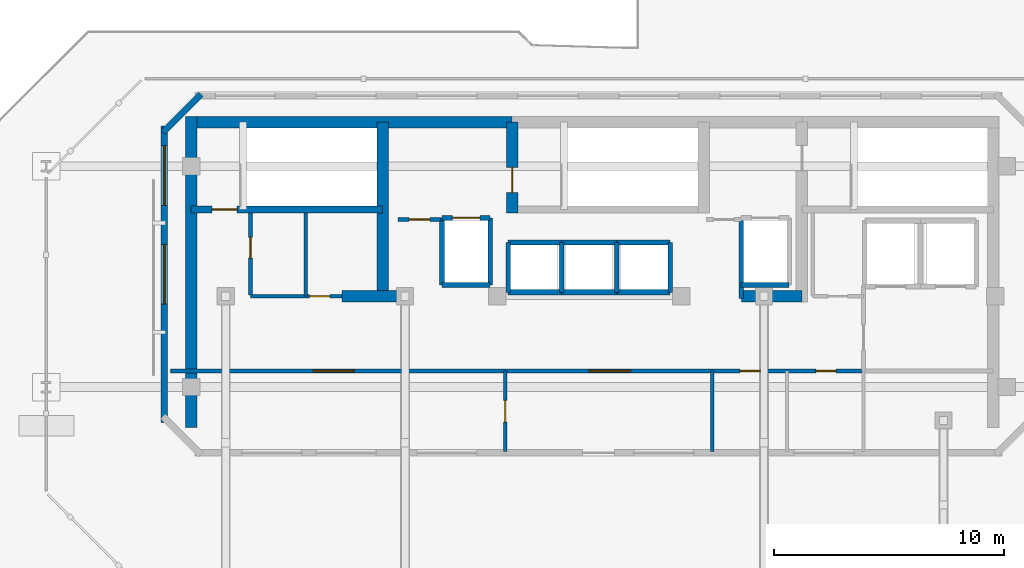
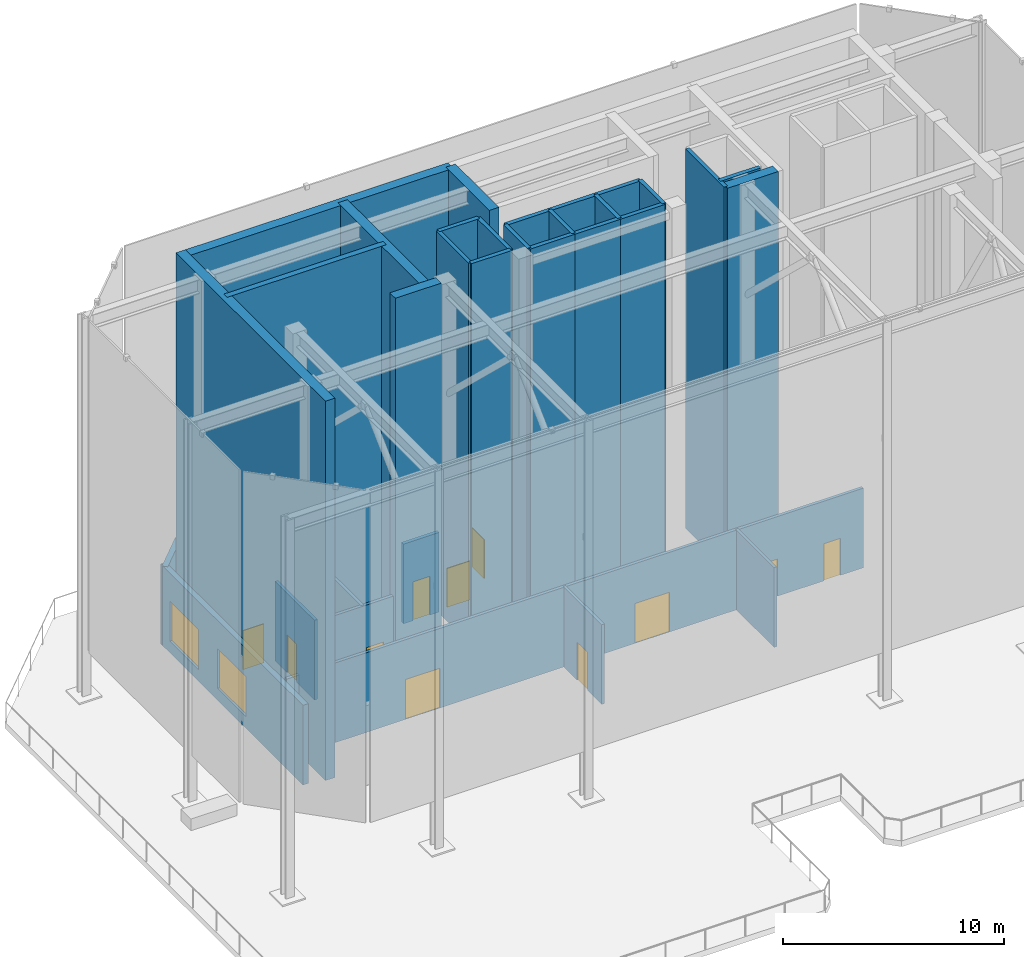
# One storey, part 2 of 5: 32 walls, 11 doors, 2 windows, 13 openings.
"""IFC4 building model written with IfcOpenShell, lengths in metres."""

from ifc_helpers import new_model, si_unit, direction, frame, frame_2d, origin, place, context, subcontext, project, spatial, rectangle, extrude, material, layer, layer_set, type_object, element, fill, save


model = new_model("IFC4")

# Units and contexts
model_context = context("Model", 3, precision=1e-05, world=origin(), true_north=direction((0.0, 1.0)))
body_context = subcontext(model_context, "Body", "Model", "MODEL_VIEW")
ifc_project = project(units=[si_unit("LENGTHUNIT", "METRE"), si_unit("AREAUNIT", "SQUARE_METRE"), si_unit("VOLUMEUNIT", "CUBIC_METRE"), si_unit("PLANEANGLEUNIT", "RADIAN"), si_unit("MASSUNIT", "GRAM", prefix="KILO")], contexts=[model_context])

# Site, building, storey
site_placement = place(None, origin())
site = spatial("IfcSite", under=ifc_project, at=site_placement, CompositionType="ELEMENT")
building_placement = place(site_placement, origin())
building = spatial("IfcBuilding", under=site, at=building_placement, Name="Kestravale Grand Hotel", CompositionType="ELEMENT")
storey_placement = place(building_placement, frame((0.0, 0.0, 311.39990234375)))
storey = spatial("IfcBuildingStorey", under=building, at=storey_placement, Name="Roof", CompositionType="ELEMENT", Elevation=311.39990234375)

# Walls
ifc_material_1 = material(Name="Concrete f'c 50 MPa", Category="concrete")
ifc_layer_1 = layer(ifc_material_1, 0.5)
ifc_layer_set_1 = layer_set([ifc_layer_1], Name="EW-CORE-500")
wall_type_1 = type_object("IfcWallType", Name="EW-CORE-500", PredefinedType="SHEAR", material=ifc_layer_set_1)
wall_1_placement = place(storey_placement, frame((21.64990234375, 40.320068359375, 0.0), z_axis=(0.0, 0.0, 1.0), x_axis=(1.0, 0.0, 0.0)))
element("IfcWall", 1, at=wall_1_placement, inside=storey, type_object=wall_type_1, Name="Roof core shear wall N1", PredefinedType="SHEAR", context=body_context, shape_type="SweptSolid", body=[
    extrude(rectangle(XDim=14.2001953125, YDim=0.5, at=frame_2d((7.10009765625, 0.0))), origin(), (0.0, 0.0, 1.0), 20.9501953125),
])
wall_2_placement = place(storey_placement, frame((21.89990234375, 27.050048828125, 0.0), z_axis=(0.0, 0.0, 1.0), x_axis=(0.0, 1.0, 0.0)))
element("IfcWall", 2, at=wall_2_placement, inside=storey, type_object=wall_type_1, Name="Roof core shear wall W1", PredefinedType="SHEAR", context=body_context, shape_type="SweptSolid", body=[
    extrude(rectangle(XDim=13.52001953125, YDim=0.5, at=frame_2d((6.760009765625, 0.0))), origin(), (0.0, 0.0, 1.0), 20.9501953125),
])
wall_3_placement = place(storey_placement, frame((28.449951171875, 32.75, 0.0), z_axis=(0.0, 0.0, 1.0), x_axis=(1.0, 0.0, 0.0)))
element("IfcWall", 3, at=wall_3_placement, inside=storey, type_object=wall_type_1, Name="Roof core shear wall S1", PredefinedType="SHEAR", context=body_context, shape_type="SweptSolid", body=[
    extrude(rectangle(XDim=2.400146484375, YDim=0.5, at=frame_2d((1.2001953125, 0.0))), origin(), (0.0, 0.0, 1.0), 20.9501953125),
])
wall_4_placement = place(storey_placement, frame((45.81005859375, 32.75, 0.0), z_axis=(0.0, 0.0, 1.0), x_axis=(1.0, 0.0, 0.0)))
element("IfcWall", 4, at=wall_4_placement, inside=storey, type_object=wall_type_1, Name="Roof core shear wall S2", PredefinedType="SHEAR", context=body_context, shape_type="SweptSolid", body=[
    extrude(rectangle(XDim=2.639892578125, YDim=0.5, at=frame_2d((1.31982421875, 0.0))), origin(), (0.0, 0.0, 1.0), 20.9501953125),
])
wall_5_placement = place(storey_placement, frame((30.219970703125, 33.0, 0.0), z_axis=(0.0, 0.0, 1.0), x_axis=(0.0, 1.0, 0.0)))
element("IfcWall", 5, at=wall_5_placement, inside=storey, type_object=wall_type_1, Name="Roof core shear wall X1", PredefinedType="SHEAR", context=body_context, shape_type="SweptSolid", body=[
    extrude(rectangle(XDim=7.320068359375, YDim=0.5, at=frame_2d((3.66015625, 0.0))), origin(), (0.0, 0.0, 1.0), 20.9501953125),
])

# Wall, opening, door
wall_6_placement = place(storey_placement, frame((35.85009765625, 36.3701171875, 0.0), z_axis=(0.0, 0.0, 1.0), x_axis=(0.0, 1.0, 0.0)))
wall_6 = element("IfcWall", 6, at=wall_6_placement, inside=storey, type_object=wall_type_1, Name="Roof core shear wall X2", PredefinedType="SHEAR", context=body_context, shape_type="SweptSolid", body=[
    extrude(rectangle(XDim=3.949951171875, YDim=0.5, at=frame_2d((1.97509765625, 0.0))), origin(), (0.0, 0.0, 1.0), 20.9501953125),
])
opening_1_placement = place(wall_6_placement, frame((0.8798828125, 0.0, 0.0)))
opening_1 = element("IfcOpeningElement", 7, at=opening_1_placement, cuts=wall_6, Name="Opening D-ST-1100", PredefinedType="OPENING", context=body_context, shape_type="SweptSolid", body=[
    extrude(rectangle(XDim=1.10009765625, YDim=2.14990234375, at=frame_2d((0.550048828125, 1.074951171875))), frame((0.0, 0.260009765625, 0.0), z_axis=(0.0, -1.0, 0.0), x_axis=(1.0, 0.0, 0.0)), (0.0, 0.0, 1.0), 0.52001953125),
])
ifc_material_2 = material(Name="Galvanised 90-minute fire-rated steel stair door", Category="steel")
door_type_1 = type_object("IfcDoorType", Name="D-ST-1100", OperationType="NOTDEFINED", PredefinedType="DOOR", material=ifc_material_2)
door_1_placement = place(opening_1_placement, origin())
door_1 = element("IfcDoor", 8, at=door_1_placement, inside=storey, type_object=door_type_1, Name="Roof Stair ST-2 FSAE fire door", OperationType="SINGLE_SWING_RIGHT", OverallHeight=2.14990234375, OverallWidth=1.10009765625, PredefinedType="DOOR", context=body_context, shape_type="SweptSolid", body=[
    extrude(rectangle(XDim=1.10009765625, YDim=2.14990234375, at=frame_2d((0.550048828125, 1.074951171875))), frame((0.0, 0.02490234375, 0.0), z_axis=(0.0, -1.0, 0.0), x_axis=(1.0, 0.0, 0.0)), (0.0, 0.0, 1.0), 0.050048828125),
])
fill(opening_1, door_1)

# Wall
ifc_material_3 = material(Name="Precast concrete f'c 45 MPa", Category="concrete")
ifc_layer_2 = layer(ifc_material_3, 0.280029296875)
ifc_layer_set_2 = layer_set([ifc_layer_2], Name="EW-PREC-280")
wall_type_2 = type_object("IfcWallType", Name="EW-PREC-280", PredefinedType="SOLIDWALL", material=ifc_layer_set_2)
wall_7_placement = place(storey_placement, frame((22.327392578125, 41.529296875, 0.0), z_axis=(0.0, 0.0, 1.0), x_axis=(-0.707158883517, -0.707054675017, 0.0)))
element("IfcWall", 9, at=wall_7_placement, inside=storey, type_object=wall_type_2, Name="Roof fluted precast facade wall 6", PredefinedType="SOLIDWALL", context=body_context, shape_type="SweptSolid", body=[
    extrude(rectangle(XDim=2.3427734375, YDim=0.280029296875, at=frame_2d((1.17138671875, 0.0))), origin(), (0.0, 0.0, 1.0), 4.400146484375),
])

# Wall, openings, windows
wall_8_placement = place(storey_placement, frame((20.739990234375, 40.139892578125, 0.0), z_axis=(0.0, 0.0, 1.0), x_axis=(0.0, -1.0, 0.0)))
wall_8 = element("IfcWall", 10, at=wall_8_placement, inside=storey, type_object=wall_type_2, Name="Roof fluted precast facade wall 7", PredefinedType="SOLIDWALL", context=body_context, shape_type="SweptSolid", body=[
    extrude(rectangle(XDim=12.8798828125, YDim=0.280029296875, at=frame_2d((6.43994140625, 0.0))), origin(), (0.0, 0.0, 1.0), 4.400146484375),
])
opening_2_placement = place(wall_8_placement, frame((0.8466796875, 0.0, 0.64990234375)))
opening_2 = element("IfcOpeningElement", 11, at=opening_2_placement, cuts=wall_8, Name="Opening W-SKY-2600", PredefinedType="OPENING", context=body_context, shape_type="SweptSolid", body=[
    extrude(rectangle(XDim=2.60009765625, YDim=2.199951171875, at=frame_2d((1.300048828125, 1.10009765625))), frame((0.0, 0.14990234375, 0.0), z_axis=(0.0, -1.0, 0.0), x_axis=(1.0, 0.0, 0.0)), (0.0, 0.0, 1.0), 0.300048828125),
])
opening_3_placement = place(wall_8_placement, frame((5.139892578125, 0.0, 0.64990234375)))
opening_3 = element("IfcOpeningElement", 12, at=opening_3_placement, cuts=wall_8, Name="Opening W-SKY-2600", PredefinedType="OPENING", context=body_context, shape_type="SweptSolid", body=[
    extrude(rectangle(XDim=2.60009765625, YDim=2.199951171875, at=frame_2d((1.300048828125, 1.10009765625))), frame((0.0, 0.14990234375, 0.0), z_axis=(0.0, -1.0, 0.0), x_axis=(1.0, 0.0, 0.0)), (0.0, 0.0, 1.0), 0.300048828125),
])
ifc_material_4 = material(Name="Insulated low-E double glazing in aluminium frame", Category="aluminium")
window_type = type_object("IfcWindowType", Name="W-SKY-2600", PartitioningType="TRIPLE_PANEL_VERTICAL", PredefinedType="WINDOW", material=ifc_material_4)
window_1_placement = place(opening_2_placement, origin())
window_1 = element("IfcWindow", 13, at=window_1_placement, inside=storey, type_object=window_type, Name="Roof exterior window 7.1", OverallHeight=2.199951171875, OverallWidth=2.60009765625, PartitioningType="SINGLE_PANEL", PredefinedType="WINDOW", context=body_context, shape_type="SweptSolid", body=[
    extrude(rectangle(XDim=2.60009765625, YDim=2.199951171875, at=frame_2d((1.300048828125, 1.10009765625))), frame((0.0, 0.030029296875, 0.0), z_axis=(0.0, -1.0, 0.0), x_axis=(1.0, 0.0, 0.0)), (0.0, 0.0, 1.0), 0.06005859375),
])
fill(opening_2, window_1)
window_2_placement = place(opening_3_placement, origin())
window_2 = element("IfcWindow", 14, at=window_2_placement, inside=storey, type_object=window_type, Name="Roof exterior window 7.2", OverallHeight=2.199951171875, OverallWidth=2.60009765625, PartitioningType="SINGLE_PANEL", PredefinedType="WINDOW", context=body_context, shape_type="SweptSolid", body=[
    extrude(rectangle(XDim=2.60009765625, YDim=2.199951171875, at=frame_2d((1.300048828125, 1.10009765625))), frame((0.0, 0.030029296875, 0.0), z_axis=(0.0, -1.0, 0.0), x_axis=(1.0, 0.0, 0.0)), (0.0, 0.0, 1.0), 0.06005859375),
])
fill(opening_3, window_2)

# Wall, opening, door
ifc_material_5 = material(Name="Concrete f'c 45 MPa", Category="concrete")
ifc_layer_3 = layer(ifc_material_5, 0.300048828125)
ifc_layer_set_3 = layer_set([ifc_layer_3], Name="EW-STAIR-300")
wall_type_3 = type_object("IfcWallType", Name="EW-STAIR-300", PredefinedType="SHEAR", material=ifc_layer_set_3)
wall_9_placement = place(storey_placement, frame((21.89990234375, 36.52001953125, 0.0), z_axis=(0.0, 0.0, 1.0), x_axis=(1.0, 0.0, 0.0)))
wall_9 = element("IfcWall", 15, at=wall_9_placement, inside=storey, type_object=wall_type_3, Name="Roof stair enclosure shear wall SST1", PredefinedType="SHEAR", context=body_context, shape_type="SweptSolid", body=[
    extrude(rectangle(XDim=8.320068359375, YDim=0.300048828125, at=frame_2d((4.16015625, 0.0))), origin(), (0.0, 0.0, 1.0), 20.9501953125),
])
opening_4_placement = place(wall_9_placement, frame((0.89990234375, 0.0, 0.0)))
opening_4 = element("IfcOpeningElement", 16, at=opening_4_placement, cuts=wall_9, Name="Opening D-ST-1100", PredefinedType="OPENING", context=body_context, shape_type="SweptSolid", body=[
    extrude(rectangle(XDim=1.10009765625, YDim=2.14990234375, at=frame_2d((0.550048828125, 1.074951171875))), frame((0.0, 0.159912109375, 0.0), z_axis=(0.0, -1.0, 0.0), x_axis=(1.0, 0.0, 0.0)), (0.0, 0.0, 1.0), 0.320068359375),
])
door_2_placement = place(opening_4_placement, origin())
door_2 = element("IfcDoor", 17, at=door_2_placement, inside=storey, type_object=door_type_1, Name="Roof Stair ST-1 fire door", OperationType="SINGLE_SWING_RIGHT", OverallHeight=2.14990234375, OverallWidth=1.10009765625, PredefinedType="DOOR", context=body_context, shape_type="SweptSolid", body=[
    extrude(rectangle(XDim=1.10009765625, YDim=2.14990234375, at=frame_2d((0.550048828125, 1.074951171875))), frame((0.0, 0.02490234375, 0.0), z_axis=(0.0, -1.0, 0.0), x_axis=(1.0, 0.0, 0.0)), (0.0, 0.0, 1.0), 0.050048828125),
])
fill(opening_4, door_2)

ifc_material_6 = material(Name="Acoustic fire-rated gypsum board partition", Category="other")
ifc_layer_4 = layer(ifc_material_6, 0.159912109375)
ifc_layer_set_4 = layer_set([ifc_layer_4], Name="IW-CORR-160")
wall_type_4 = type_object("IfcWallType", Name="IW-CORR-160", PredefinedType="PARTITIONING", material=ifc_layer_set_4)
wall_10_placement = place(storey_placement, frame((24.47998046875, 32.800048828125, 0.0), z_axis=(0.0, 0.0, 1.0), x_axis=(0.0, 1.0, 0.0)))
wall_10 = element("IfcWall", 18, at=wall_10_placement, inside=storey, type_object=wall_type_4, Name="Roof west core vestibule wall", PredefinedType="PARTITIONING", context=body_context, shape_type="SweptSolid", body=[
    extrude(rectangle(XDim=3.570068359375, YDim=0.159912109375, at=frame_2d((1.78515625, 0.0))), origin(), (0.0, 0.0, 1.0), 4.400146484375),
])
opening_5_placement = place(wall_10_placement, frame((1.603515625, 0.0, 0.0)))
opening_5 = element("IfcOpeningElement", 19, at=opening_5_placement, cuts=wall_10, Name="Opening D-SH-900", PredefinedType="OPENING", context=body_context, shape_type="SweptSolid", body=[
    extrude(rectangle(XDim=0.89990234375, YDim=2.10009765625, at=frame_2d((0.449951171875, 1.050048828125))), frame((0.0, 0.08984375, 0.0), z_axis=(0.0, -1.0, 0.0), x_axis=(1.0, 0.0, 0.0)), (0.0, 0.0, 1.0), 0.179931640625),
])
ifc_material_7 = material(Name="Galvanised 90-minute shaft and service fire door", Category="steel")
door_type_2 = type_object("IfcDoorType", Name="D-SH-900", OperationType="NOTDEFINED", PredefinedType="DOOR", material=ifc_material_7)
door_3_placement = place(opening_5_placement, origin())
door_3 = element("IfcDoor", 20, at=door_3_placement, inside=storey, type_object=door_type_2, Name="D-Roof-HK", OperationType="SINGLE_SWING_RIGHT", OverallHeight=2.10009765625, OverallWidth=0.89990234375, PredefinedType="DOOR", context=body_context, shape_type="SweptSolid", body=[
    extrude(rectangle(XDim=0.89990234375, YDim=2.10009765625, at=frame_2d((0.449951171875, 1.050048828125))), frame((0.0, 0.02490234375, 0.0), z_axis=(0.0, -1.0, 0.0), x_axis=(1.0, 0.0, 0.0)), (0.0, 0.0, 1.0), 0.050048828125),
])
fill(opening_5, door_3)

wall_11_placement = place(storey_placement, frame((24.47998046875, 32.75, 0.0), z_axis=(0.0, 0.0, 1.0), x_axis=(1.0, 0.0, 0.0)))
wall_11 = element("IfcWall", 21, at=wall_11_placement, inside=storey, type_object=wall_type_4, Name="W-Roof-CWS", PredefinedType="PARTITIONING", context=body_context, shape_type="SweptSolid", body=[
    extrude(rectangle(XDim=3.969970703125, YDim=0.159912109375, at=frame_2d((1.98486328125, 0.0))), origin(), (0.0, 0.0, 1.0), 4.400146484375),
])
opening_6_placement = place(wall_11_placement, frame((2.574951171875, 0.0, 0.0)))
opening_6 = element("IfcOpeningElement", 22, at=opening_6_placement, cuts=wall_11, Name="Opening D-BATH-880", PredefinedType="OPENING", context=body_context, shape_type="SweptSolid", body=[
    extrude(rectangle(XDim=0.8798828125, YDim=2.050048828125, at=frame_2d((0.43994140625, 1.02490234375))), frame((0.0, 0.08984375, 0.0), z_axis=(0.0, -1.0, 0.0), x_axis=(1.0, 0.0, 0.0)), (0.0, 0.0, 1.0), 0.179931640625),
])
ifc_material_8 = material(Name="Moisture-sealed walnut en-suite bathroom door", Category="wood")
door_type_3 = type_object("IfcDoorType", Name="D-BATH-880", OperationType="NOTDEFINED", PredefinedType="DOOR", material=ifc_material_8)
door_4_placement = place(opening_6_placement, origin())
door_4 = element("IfcDoor", 23, at=door_4_placement, inside=storey, type_object=door_type_3, Name="D-Roof-SWC", OperationType="SINGLE_SWING_RIGHT", OverallHeight=2.050048828125, OverallWidth=0.8798828125, PredefinedType="DOOR", context=body_context, shape_type="SweptSolid", body=[
    extrude(rectangle(XDim=0.8798828125, YDim=2.050048828125, at=frame_2d((0.43994140625, 1.02490234375))), frame((0.0, 0.02490234375, 0.0), z_axis=(0.0, -1.0, 0.0), x_axis=(1.0, 0.0, 0.0)), (0.0, 0.0, 1.0), 0.050048828125),
])
fill(opening_6, door_4)

# Wall, openings, doors
wall_12_placement = place(storey_placement, frame((21.0, 29.5, 0.0), z_axis=(0.0, 0.0, 1.0), x_axis=(1.0, 0.0, 0.0)))
wall_12 = element("IfcWall", 24, at=wall_12_placement, inside=storey, type_object=wall_type_4, Name="W-Roof-BN", PredefinedType="PARTITIONING", context=body_context, shape_type="SweptSolid", body=[
    extrude(rectangle(XDim=30.1201171875, YDim=0.159912109375, at=frame_2d((15.06005859375, 0.0))), origin(), (0.0, 0.0, 1.0), 4.400146484375),
])
opening_7_placement = place(wall_12_placement, frame((6.199951171875, 0.0, 0.0)))
opening_7 = element("IfcOpeningElement", 25, at=opening_7_placement, cuts=wall_12, Name="Opening D-CORR-1800", PredefinedType="OPENING", context=body_context, shape_type="SweptSolid", body=[
    extrude(rectangle(XDim=1.800048828125, YDim=2.199951171875, at=frame_2d((0.89990234375, 1.10009765625))), frame((0.0, 0.08984375, 0.0), z_axis=(0.0, -1.0, 0.0), x_axis=(1.0, 0.0, 0.0)), (0.0, 0.0, 1.0), 0.179931640625),
])
opening_8_placement = place(wall_12_placement, frame((18.199951171875, 0.0, 0.0)))
opening_8 = element("IfcOpeningElement", 26, at=opening_8_placement, cuts=wall_12, Name="Opening D-CORR-1800", PredefinedType="OPENING", context=body_context, shape_type="SweptSolid", body=[
    extrude(rectangle(XDim=1.800048828125, YDim=2.199951171875, at=frame_2d((0.89990234375, 1.10009765625))), frame((0.0, 0.08984375, 0.0), z_axis=(0.0, -1.0, 0.0), x_axis=(1.0, 0.0, 0.0)), (0.0, 0.0, 1.0), 0.179931640625),
])
opening_9_placement = place(wall_12_placement, frame((24.75, 0.0, 0.0)))
opening_9 = element("IfcOpeningElement", 27, at=opening_9_placement, cuts=wall_12, Name="Opening D-BATH-880", PredefinedType="OPENING", context=body_context, shape_type="SweptSolid", body=[
    extrude(rectangle(XDim=0.8798828125, YDim=2.050048828125, at=frame_2d((0.43994140625, 1.02490234375))), frame((0.0, 0.08984375, 0.0), z_axis=(0.0, -1.0, 0.0), x_axis=(1.0, 0.0, 0.0)), (0.0, 0.0, 1.0), 0.179931640625),
])
opening_10_placement = place(wall_12_placement, frame((28.050048828125, 0.0, 0.0)))
opening_10 = element("IfcOpeningElement", 28, at=opening_10_placement, cuts=wall_12, Name="Opening D-BATH-880", PredefinedType="OPENING", context=body_context, shape_type="SweptSolid", body=[
    extrude(rectangle(XDim=0.8798828125, YDim=2.050048828125, at=frame_2d((0.43994140625, 1.02490234375))), frame((0.0, 0.08984375, 0.0), z_axis=(0.0, -1.0, 0.0), x_axis=(1.0, 0.0, 0.0)), (0.0, 0.0, 1.0), 0.179931640625),
])
door_5_placement = place(opening_9_placement, origin())
door_5 = element("IfcDoor", 29, at=door_5_placement, inside=storey, type_object=door_type_3, Name="Roof Accessible WC Door", OperationType="SINGLE_SWING_LEFT", OverallHeight=2.050048828125, OverallWidth=0.8798828125, PredefinedType="DOOR", context=body_context, shape_type="SweptSolid", body=[
    extrude(rectangle(XDim=0.8798828125, YDim=2.050048828125, at=frame_2d((0.43994140625, 1.02490234375))), frame((0.0, 0.02490234375, 0.0), z_axis=(0.0, -1.0, 0.0), x_axis=(1.0, 0.0, 0.0)), (0.0, 0.0, 1.0), 0.050048828125),
])
fill(opening_9, door_5)
door_6_placement = place(opening_10_placement, origin())
door_6 = element("IfcDoor", 30, at=door_6_placement, inside=storey, type_object=door_type_3, Name="Roof Public WC Door", OperationType="SINGLE_SWING_RIGHT", OverallHeight=2.050048828125, OverallWidth=0.8798828125, PredefinedType="DOOR", context=body_context, shape_type="SweptSolid", body=[
    extrude(rectangle(XDim=0.8798828125, YDim=2.050048828125, at=frame_2d((0.43994140625, 1.02490234375))), frame((0.0, 0.02490234375, 0.0), z_axis=(0.0, -1.0, 0.0), x_axis=(1.0, 0.0, 0.0)), (0.0, 0.0, 1.0), 0.050048828125),
])
fill(opening_10, door_6)
ifc_material_9 = material(Name="Double-leaf glazed bronze acoustic corridor fire door", Category="aluminium")
door_type_4 = type_object("IfcDoorType", Name="D-CORR-1800", OperationType="NOTDEFINED", PredefinedType="DOOR", material=ifc_material_9)
door_7_placement = place(opening_7_placement, origin())
door_7 = element("IfcDoor", 31, at=door_7_placement, inside=storey, type_object=door_type_4, Name="Roof Belvedere Door", OperationType="DOUBLE_DOOR_SINGLE_SWING", OverallHeight=2.199951171875, OverallWidth=1.800048828125, PredefinedType="DOOR", context=body_context, shape_type="SweptSolid", body=[
    extrude(rectangle(XDim=1.800048828125, YDim=2.199951171875, at=frame_2d((0.89990234375, 1.10009765625))), frame((0.0, 0.02490234375, 0.0), z_axis=(0.0, -1.0, 0.0), x_axis=(1.0, 0.0, 0.0)), (0.0, 0.0, 1.0), 0.050048828125),
])
fill(opening_7, door_7)
door_8_placement = place(opening_8_placement, origin())
door_8 = element("IfcDoor", 32, at=door_8_placement, inside=storey, type_object=door_type_4, Name="Roof Viewing Gallery Door", OperationType="DOUBLE_DOOR_SINGLE_SWING", OverallHeight=2.199951171875, OverallWidth=1.800048828125, PredefinedType="DOOR", context=body_context, shape_type="SweptSolid", body=[
    extrude(rectangle(XDim=1.800048828125, YDim=2.199951171875, at=frame_2d((0.89990234375, 1.10009765625))), frame((0.0, 0.02490234375, 0.0), z_axis=(0.0, -1.0, 0.0), x_axis=(1.0, 0.0, 0.0)), (0.0, 0.0, 1.0), 0.050048828125),
])
fill(opening_8, door_8)

# Wall, opening, door
ifc_material_10 = material(Name="Fire-rated gypsum board on steel studs with mineral wool", Category="steel")
ifc_layer_5 = layer(ifc_material_10, 0.179931640625)
ifc_layer_set_5 = layer_set([ifc_layer_5], Name="IW-FSAE-180")
wall_type_5 = type_object("IfcWallType", Name="IW-FSAE-180", PredefinedType="PARTITIONING", material=ifc_layer_set_5)
wall_13_placement = place(storey_placement, frame((30.89990234375, 36.080078125, 0.0), z_axis=(0.0, 0.0, 1.0), x_axis=(1.0, 0.0, 0.0)))
wall_13 = element("IfcWall", 33, at=wall_13_placement, inside=storey, type_object=wall_type_5, Name="Roof FSAE Lobby 1 smoke barrier", PredefinedType="PARTITIONING", context=body_context, shape_type="SweptSolid", body=[
    extrude(rectangle(XDim=1.85009765625, YDim=0.179931640625, at=frame_2d((0.925048828125, 0.0))), origin(), (0.0, 0.0, 1.0), 4.400146484375),
])
opening_11_placement = place(wall_13_placement, frame((0.47998046875, 0.0, 0.0)))
opening_11 = element("IfcOpeningElement", 34, at=opening_11_placement, cuts=wall_13, Name="Opening D-FSAE-1000", PredefinedType="OPENING", context=body_context, shape_type="SweptSolid", body=[
    extrude(rectangle(XDim=0.89990234375, YDim=2.14990234375, at=frame_2d((0.449951171875, 1.074951171875))), frame((0.0, 0.099853515625, 0.0), z_axis=(0.0, -1.0, 0.0), x_axis=(1.0, 0.0, 0.0)), (0.0, 0.0, 1.0), 0.199951171875),
])
ifc_material_11 = material(Name="Smoke-gasketed FSAE lobby fire door", Category="steel")
door_type_5 = type_object("IfcDoorType", Name="D-FSAE-1000", OperationType="NOTDEFINED", PredefinedType="DOOR", material=ifc_material_11)
door_9_placement = place(opening_11_placement, origin())
door_9 = element("IfcDoor", 35, at=door_9_placement, inside=storey, type_object=door_type_5, Name="Roof FSAE Lobby 1 fire door", OperationType="SINGLE_SWING_RIGHT", OverallHeight=2.14990234375, OverallWidth=0.89990234375, PredefinedType="DOOR", context=body_context, shape_type="SweptSolid", body=[
    extrude(rectangle(XDim=0.89990234375, YDim=2.14990234375, at=frame_2d((0.449951171875, 1.074951171875))), frame((0.0, 0.02490234375, 0.0), z_axis=(0.0, -1.0, 0.0), x_axis=(1.0, 0.0, 0.0)), (0.0, 0.0, 1.0), 0.050048828125),
])
fill(opening_11, door_9)

# Walls
ifc_material_12 = material(Name="Moisture-resistant tile-backer plumbing chase wall", Category="other")
ifc_layer_6 = layer(ifc_material_12, 0.139892578125)
ifc_layer_set_6 = layer_set([ifc_layer_6], Name="IW-PLB-140")
wall_type_6 = type_object("IfcWallType", Name="IW-PLB-140", PredefinedType="PLUMBINGWALL", material=ifc_layer_set_6)
wall_14_placement = place(storey_placement, frame((44.550048828125, 26.0, 0.0), z_axis=(0.0, 0.0, 1.0), x_axis=(0.0, 1.0, 0.0)))
element("IfcWall", 36, at=wall_14_placement, inside=storey, type_object=wall_type_6, Name="W-Roof-B2", PredefinedType="PLUMBINGWALL", context=body_context, shape_type="SweptSolid", body=[
    extrude(rectangle(XDim=3.5, YDim=0.139892578125, at=frame_2d((1.75, 0.0))), origin(), (0.0, 0.0, 1.0), 4.400146484375),
])
ifc_material_13 = material(Name="Concrete f'c 45 MPa", Category="concrete")
ifc_layer_7 = layer(ifc_material_13, 0.199951171875)
ifc_layer_set_7 = layer_set([ifc_layer_7], Name="IW-SHAFT-200")
wall_type_7 = type_object("IfcWallType", Name="IW-SHAFT-200", PredefinedType="SHEAR", material=ifc_layer_set_7)
for number, where, z_axis, x_axis, name in (
    (37, (35.679931640625, 32.919921875, 0.0), (0.0, 0.0, 1.0), (0.0, 1.0, 0.0), "Roof PL-X1 west shaft wall"),
    (38, (38.0, 32.919921875, 0.0), (0.0, 0.0, 1.0), (0.0, 1.0, 0.0), "Roof PL-X2 west shaft wall"),
    (39, (40.39990234375, 32.919921875, 0.0), (0.0, 0.0, 1.0), (0.0, 1.0, 0.0), "Roof PL-X3 west shaft wall"),
    (40, (42.719970703125, 32.919921875, 0.0), (0.0, 0.0, 1.0), (0.0, 1.0, 0.0), "Roof PL-X3 east shaft wall"),
):
    element("IfcWall", number, at=place(storey_placement, frame(where, z_axis=z_axis, x_axis=x_axis)), inside=storey, type_object=wall_type_7, Name=name, PredefinedType="SHEAR", context=body_context, shape_type="SweptSolid", body=[
        extrude(rectangle(XDim=2.16015625, YDim=0.199951171875, at=frame_2d((1.080078125, 0.0))), origin(), (0.0, 0.0, 1.0), 20.9501953125),
    ])
for number, where, z_axis, x_axis, name in (
    (41, (32.804931640625, 33.2451171875, 0.0), (0.0, 0.0, 1.0), (0.0, 1.0, 0.0), "Roof FL-1 west shaft wall"),
    (42, (34.89501953125, 33.2451171875, 0.0), (0.0, 0.0, 1.0), (0.0, 1.0, 0.0), "Roof FL-1 east shaft wall"),
):
    element("IfcWall", number, at=place(storey_placement, frame(where, z_axis=z_axis, x_axis=x_axis)), inside=storey, type_object=wall_type_7, Name=name, PredefinedType="SHEAR", context=body_context, shape_type="SweptSolid", body=[
        extrude(rectangle(XDim=2.909912109375, YDim=0.199951171875, at=frame_2d((1.455078125, 0.0))), origin(), (0.0, 0.0, 1.0), 20.9501953125),
    ])
wall_15_placement = place(storey_placement, frame((45.804931640625, 32.64990234375, 0.0), z_axis=(0.0, 0.0, 1.0), x_axis=(0.0, 1.0, 0.0)))
element("IfcWall", 43, at=wall_15_placement, inside=storey, type_object=wall_type_7, Name="Roof FL-2 west shaft wall", PredefinedType="SHEAR", context=body_context, shape_type="SweptSolid", body=[
    extrude(rectangle(XDim=3.505126953125, YDim=0.199951171875, at=frame_2d((1.75244140625, 0.0))), origin(), (0.0, 0.0, 1.0), 20.9501953125),
])
ifc_material_14 = material(Name="Concrete f'c 45 MPa", Category="concrete")
ifc_layer_8 = layer(ifc_material_14, 0.219970703125)
ifc_layer_set_8 = layer_set([ifc_layer_8], Name="IW-SHAFT-220")
wall_type_8 = type_object("IfcWallType", Name="IW-SHAFT-220", PredefinedType="SHEAR", material=ifc_layer_set_8)
for number, where, z_axis, x_axis, name in (
    (44, (35.679931640625, 35.080078125, 0.0), (0.0, 0.0, 1.0), (1.0, 0.0, 0.0), "Roof PL-X1 north shaft wall"),
    (45, (35.679931640625, 32.919921875, 0.0), (0.0, 0.0, 1.0), (1.0, 0.0, 0.0), "Roof PL-X1 south shaft wall"),
):
    element("IfcWall", number, at=place(storey_placement, frame(where, z_axis=z_axis, x_axis=x_axis)), inside=storey, type_object=wall_type_8, Name=name, PredefinedType="SHEAR", context=body_context, shape_type="SweptSolid", body=[
        extrude(rectangle(XDim=2.320068359375, YDim=0.219970703125, at=frame_2d((1.16015625, 0.0))), origin(), (0.0, 0.0, 1.0), 20.9501953125),
    ])
for number, where, z_axis, x_axis, name in (
    (46, (38.0, 35.080078125, 0.0), (0.0, 0.0, 1.0), (1.0, 0.0, 0.0), "Roof PL-X2 north shaft wall"),
    (47, (38.0, 32.919921875, 0.0), (0.0, 0.0, 1.0), (1.0, 0.0, 0.0), "Roof PL-X2 south shaft wall"),
):
    element("IfcWall", number, at=place(storey_placement, frame(where, z_axis=z_axis, x_axis=x_axis)), inside=storey, type_object=wall_type_8, Name=name, PredefinedType="SHEAR", context=body_context, shape_type="SweptSolid", body=[
        extrude(rectangle(XDim=2.39990234375, YDim=0.219970703125, at=frame_2d((1.199951171875, 0.0))), origin(), (0.0, 0.0, 1.0), 20.9501953125),
    ])
for number, where, z_axis, x_axis, name in (
    (48, (40.39990234375, 35.080078125, 0.0), (0.0, 0.0, 1.0), (1.0, 0.0, 0.0), "Roof PL-X3 north shaft wall"),
    (49, (40.39990234375, 32.919921875, 0.0), (0.0, 0.0, 1.0), (1.0, 0.0, 0.0), "Roof PL-X3 south shaft wall"),
):
    element("IfcWall", number, at=place(storey_placement, frame(where, z_axis=z_axis, x_axis=x_axis)), inside=storey, type_object=wall_type_8, Name=name, PredefinedType="SHEAR", context=body_context, shape_type="SweptSolid", body=[
        extrude(rectangle(XDim=2.320068359375, YDim=0.219970703125, at=frame_2d((1.16015625, 0.0))), origin(), (0.0, 0.0, 1.0), 20.9501953125),
    ])

# Wall, opening, door
wall_16_placement = place(storey_placement, frame((32.804931640625, 36.155029296875, 0.0), z_axis=(0.0, 0.0, 1.0), x_axis=(1.0, 0.0, 0.0)))
wall_16 = element("IfcWall", 50, at=wall_16_placement, inside=storey, type_object=wall_type_8, Name="Roof FL-1 north shaft wall", PredefinedType="SHEAR", context=body_context, shape_type="SweptSolid", body=[
    extrude(rectangle(XDim=2.090087890625, YDim=0.219970703125, at=frame_2d((1.044921875, 0.0))), origin(), (0.0, 0.0, 1.0), 20.9501953125),
])
opening_12_placement = place(wall_16_placement, frame((0.445068359375, 0.0, 0.0)))
opening_12 = element("IfcOpeningElement", 51, at=opening_12_placement, cuts=wall_16, Name="Opening LD-FSAE-1200", PredefinedType="OPENING", context=body_context, shape_type="SweptSolid", body=[
    extrude(rectangle(XDim=1.199951171875, YDim=2.14990234375, at=frame_2d((0.60009765625, 1.074951171875))), frame((0.0, 0.119873046875, 0.0), z_axis=(0.0, -1.0, 0.0), x_axis=(1.0, 0.0, 0.0)), (0.0, 0.0, 1.0), 0.239990234375),
])
ifc_material_15 = material(Name="Stainless fire-service sliding elevator landing door", Category="steel")
door_type_6 = type_object("IfcDoorType", Name="LD-FSAE-1200", OperationType="NOTDEFINED", PredefinedType="DOOR", material=ifc_material_15)
door_10_placement = place(opening_12_placement, origin())
door_10 = element("IfcDoor", 52, at=door_10_placement, inside=storey, type_object=door_type_6, Name="Roof FL-1 elevator landing sliding door", OperationType="DOUBLE_DOOR_SLIDING", OverallHeight=2.14990234375, OverallWidth=1.199951171875, PredefinedType="DOOR", context=body_context, shape_type="SweptSolid", body=[
    extrude(rectangle(XDim=1.199951171875, YDim=2.14990234375, at=frame_2d((0.60009765625, 1.074951171875))), frame((0.0, 0.02490234375, 0.0), z_axis=(0.0, -1.0, 0.0), x_axis=(1.0, 0.0, 0.0)), (0.0, 0.0, 1.0), 0.050048828125),
])
fill(opening_12, door_10)

# Walls
for number, where, z_axis, x_axis, name in (
    (53, (32.804931640625, 33.2451171875, 0.0), (0.0, 0.0, 1.0), (1.0, 0.0, 0.0), "Roof FL-1 south shaft wall"),
    (54, (45.804931640625, 33.2451171875, 0.0), (0.0, 0.0, 1.0), (1.0, 0.0, 0.0), "Roof FL-2 south shaft wall"),
):
    element("IfcWall", number, at=place(storey_placement, frame(where, z_axis=z_axis, x_axis=x_axis)), inside=storey, type_object=wall_type_8, Name=name, PredefinedType="SHEAR", context=body_context, shape_type="SweptSolid", body=[
        extrude(rectangle(XDim=2.090087890625, YDim=0.219970703125, at=frame_2d((1.044921875, 0.0))), origin(), (0.0, 0.0, 1.0), 20.9501953125),
    ])
ifc_material_16 = material(Name="Double-stud STC 52 acoustic demising partition", Category="other")
ifc_layer_9 = layer(ifc_material_16, 0.14990234375)
ifc_layer_set_9 = layer_set([ifc_layer_9], Name="IW-UNIT-150")
wall_type_9 = type_object("IfcWallType", Name="IW-UNIT-150", PredefinedType="PARTITIONING", material=ifc_layer_set_9)
wall_17_placement = place(storey_placement, frame((26.8798828125, 32.75, 0.0), z_axis=(0.0, 0.0, 1.0), x_axis=(0.0, 1.0, 0.0)))
element("IfcWall", 55, at=wall_17_placement, inside=storey, type_object=wall_type_9, Name="W-Roof-CC3-V", PredefinedType="PARTITIONING", context=body_context, shape_type="SweptSolid", body=[
    extrude(rectangle(XDim=3.6201171875, YDim=0.14990234375, at=frame_2d((1.81005859375, 0.0))), origin(), (0.0, 0.0, 1.0), 4.400146484375),
])

# Wall, opening, door
wall_18_placement = place(storey_placement, frame((35.550048828125, 26.0, 0.0), z_axis=(0.0, 0.0, 1.0), x_axis=(0.0, 1.0, 0.0)))
wall_18 = element("IfcWall", 56, at=wall_18_placement, inside=storey, type_object=wall_type_9, Name="W-Roof-B1", PredefinedType="PARTITIONING", context=body_context, shape_type="SweptSolid", body=[
    extrude(rectangle(XDim=3.5, YDim=0.14990234375, at=frame_2d((1.75, 0.0))), origin(), (0.0, 0.0, 1.0), 4.400146484375),
])
opening_13_placement = place(wall_18_placement, frame((1.27490234375, 0.0, 0.0)))
opening_13 = element("IfcOpeningElement", 57, at=opening_13_placement, cuts=wall_18, Name="Opening D-GUEST-950", PredefinedType="OPENING", context=body_context, shape_type="SweptSolid", body=[
    extrude(rectangle(XDim=0.949951171875, YDim=2.10009765625, at=frame_2d((0.47509765625, 1.050048828125))), frame((0.0, 0.0849609375, 0.0), z_axis=(0.0, -1.0, 0.0), x_axis=(1.0, 0.0, 0.0)), (0.0, 0.0, 1.0), 0.169921875),
])
ifc_material_17 = material(Name="Walnut veneer hotel guestroom entrance fire door", Category="wood")
door_type_7 = type_object("IfcDoorType", Name="D-GUEST-950", OperationType="NOTDEFINED", PredefinedType="DOOR", material=ifc_material_17)
door_11_placement = place(opening_13_placement, origin())
door_11 = element("IfcDoor", 58, at=door_11_placement, inside=storey, type_object=door_type_7, Name="D-Roof-OBS", OperationType="SINGLE_SWING_LEFT", OverallHeight=2.10009765625, OverallWidth=0.949951171875, PredefinedType="DOOR", context=body_context, shape_type="SweptSolid", body=[
    extrude(rectangle(XDim=0.949951171875, YDim=2.10009765625, at=frame_2d((0.47509765625, 1.050048828125))), frame((0.0, 0.02490234375, 0.0), z_axis=(0.0, -1.0, 0.0), x_axis=(1.0, 0.0, 0.0)), (0.0, 0.0, 1.0), 0.050048828125),
])
fill(opening_13, door_11)

save(model, "model.ifc")
